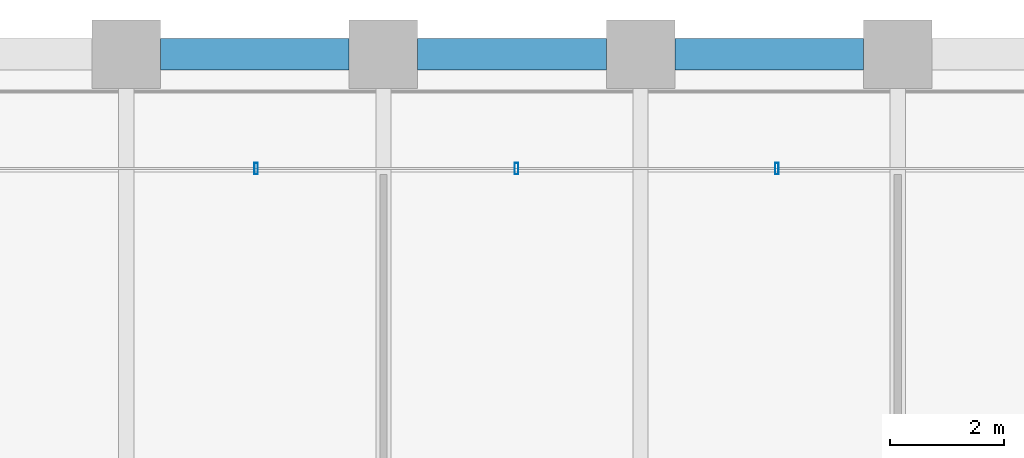
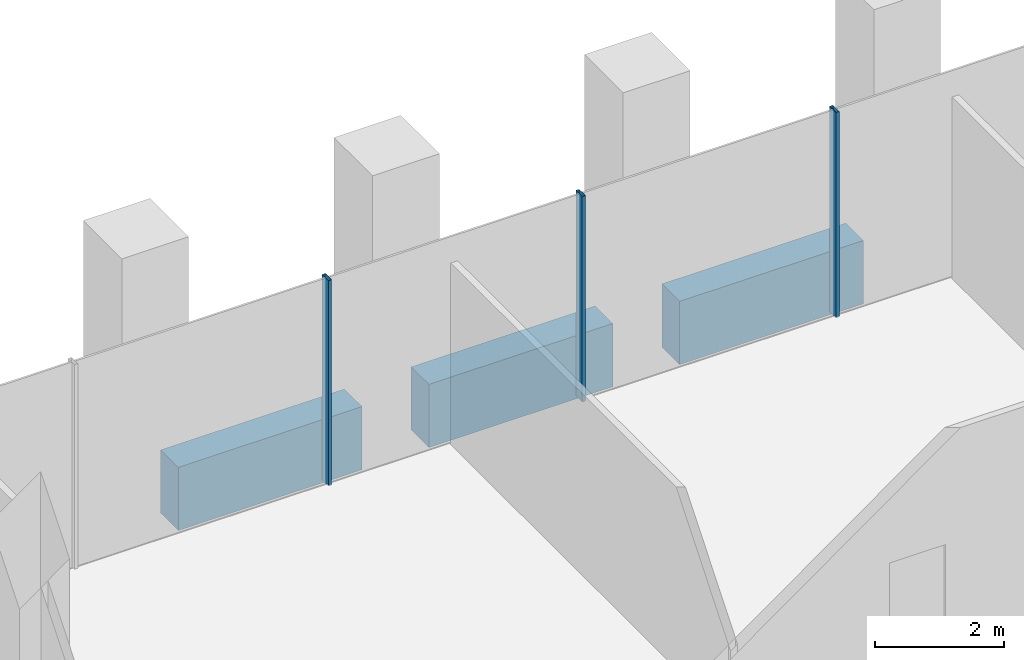
# One storey, part 16 of 36: 3 beams, 3 members, 1 element without a shape of its own.
"""IFC4 building model written with IfcOpenShell, lengths in metres."""

from ifc_helpers import new_model, si_unit, direction, frame, origin, origin_2d, place, context, subcontext, project, spatial, rectangle, hollow_rectangle, extrude, material, material_profile, profile_set, type_object, element, aggregate, save


model = new_model("IFC4")

# Units and contexts
model_context = context("Model", 3, precision=1e-05, world=origin(), true_north=direction((0.0, 1.0)))
body_context = subcontext(model_context, "Body", "Model", "MODEL_VIEW")
ifc_project = project(units=[si_unit("LENGTHUNIT", "METRE"), si_unit("AREAUNIT", "SQUARE_METRE"), si_unit("VOLUMEUNIT", "CUBIC_METRE"), si_unit("PLANEANGLEUNIT", "RADIAN"), si_unit("MASSUNIT", "GRAM", prefix="KILO")], contexts=[model_context])

# Site, building, storey
site_placement = place(None, origin())
site = spatial("IfcSite", under=ifc_project, at=site_placement, CompositionType="ELEMENT")
building_placement = place(site_placement, origin())
building = spatial("IfcBuilding", under=site, at=building_placement, Name="Altepetl Exchange Towers", CompositionType="ELEMENT")
storey_placement = place(building_placement, frame((0.0, 0.0, 25.39990234375)))
storey = spatial("IfcBuildingStorey", under=building, at=storey_placement, Name="L05", CompositionType="ELEMENT", Elevation=25.39990234375)

# Curtain wall, members
ifc_material_1 = material(Name="Aluminium 6063-T6 glazing", Category="aluminium")
curtain_wall_type = type_object("IfcCurtainWallType", Name="Trading floor glazing system", PredefinedType="NOTDEFINED", material=ifc_material_1)
curtain_wall_placement = place(storey_placement, origin())
curtain_wall = element("IfcCurtainWall", 1, at=curtain_wall_placement, inside=storey, type_object=curtain_wall_type, Name="CW2 run", PredefinedType="NOTDEFINED")
ifc_material_2 = material(Name="Aluminium 6063-T6", Category="aluminium")
ifc_material_profile_1 = material_profile(ifc_material_2, hollow_rectangle(XDim=0.06005859375, YDim=0.199951171875, WallThickness=0.0029296875, at=origin_2d()), Name="Mullion 60x200 aluminium")
ifc_profile_set_1 = profile_set([ifc_material_profile_1], Name="Aluminium 6063-T6")
member_type = type_object("IfcMemberType", Name="Mullion 60x200 aluminium", PredefinedType="MULLION", material=ifc_profile_set_1)
member_1_placement = place(storey_placement, frame((56.3857421875, 70.0, 0.0), z_axis=(0.0, 0.0, 1.0), x_axis=(-1.0, 0.0, 0.0)))
member_1 = element("IfcMember", 2, at=member_1_placement, type_object=member_type, Name="MU2 mullion", PredefinedType="MULLION", context=body_context, shape_type="SweptSolid", body=[
    extrude(hollow_rectangle(XDim=0.06005859375, YDim=0.199951171875, WallThickness=0.0029296875, at=origin_2d()), origin(), (0.0, 0.0, 1.0), 3.900146484375),
])
member_2_placement = place(storey_placement, frame((51.82861328125, 70.0, 0.0), z_axis=(0.0, 0.0, 1.0), x_axis=(-1.0, 0.0, 0.0)))
member_2 = element("IfcMember", 3, at=member_2_placement, type_object=member_type, Name="MU2 mullion", PredefinedType="MULLION", context=body_context, shape_type="SweptSolid", body=[
    extrude(hollow_rectangle(XDim=0.06005859375, YDim=0.199951171875, WallThickness=0.0029296875, at=origin_2d()), origin(), (0.0, 0.0, 1.0), 3.900146484375),
])
member_3_placement = place(storey_placement, frame((47.271484375, 70.0, 0.0), z_axis=(0.0, 0.0, 1.0), x_axis=(-1.0, 0.0, 0.0)))
member_3 = element("IfcMember", 4, at=member_3_placement, type_object=member_type, Name="MU2 mullion", PredefinedType="MULLION", context=body_context, shape_type="SweptSolid", body=[
    extrude(hollow_rectangle(XDim=0.06005859375, YDim=0.199951171875, WallThickness=0.0029296875, at=origin_2d()), origin(), (0.0, 0.0, 1.0), 3.900146484375),
])
aggregate(curtain_wall, [member_1, member_2, member_3])

# Beams
ifc_material_3 = material(Name="Concrete C50/60 precast with cantera rosa facing", Category="concrete")
ifc_material_profile_2 = material_profile(ifc_material_3, rectangle(XDim=0.550048828125, YDim=1.199951171875, at=origin_2d()), Name="550 x 1200")
ifc_profile_set_2 = profile_set([ifc_material_profile_2], Name="Concrete C50/60 precast with cantera rosa facing")
beam_type = type_object("IfcBeamType", Name="Spandrel beam 550x1200 cantera rosa", PredefinedType="SPANDREL", material=ifc_profile_set_2)
for number, where, z_axis, x_axis, name in (
    (5, (57.89990234375, 72.0, -0.77490234375), (-1.0, 0.0, 0.0), (0.0, -1.0, 0.0), "sp:A:L05:026"),
    (6, (53.39990234375, 72.0, -0.77490234375), (-1.0, 0.0, 0.0), (0.0, -1.0, 0.0), "sp:A:L05:027"),
    (7, (48.89990234375, 72.0, -0.77490234375), (-1.0, 0.0, 0.0), (0.0, -1.0, 0.0), "sp:A:L05:028"),
):
    element("IfcBeam", number, at=place(storey_placement, frame(where, z_axis=z_axis, x_axis=x_axis)), inside=storey, type_object=beam_type, Name=name, PredefinedType="SPANDREL", context=body_context, shape_type="SweptSolid", body=[
        extrude(rectangle(XDim=0.550048828125, YDim=1.199951171875, at=origin_2d()), origin(), (0.0, 0.0, 1.0), 3.2998046875),
    ])

save(model, "model.ifc")
